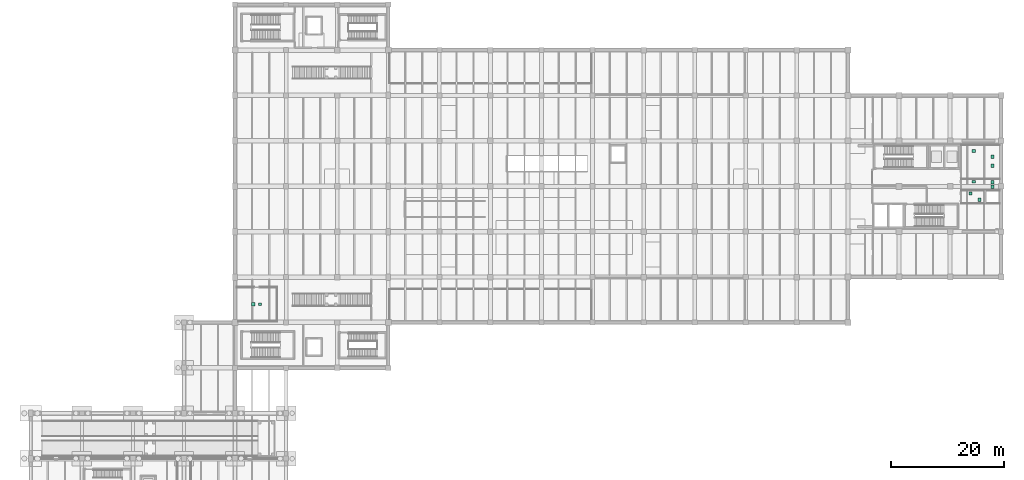
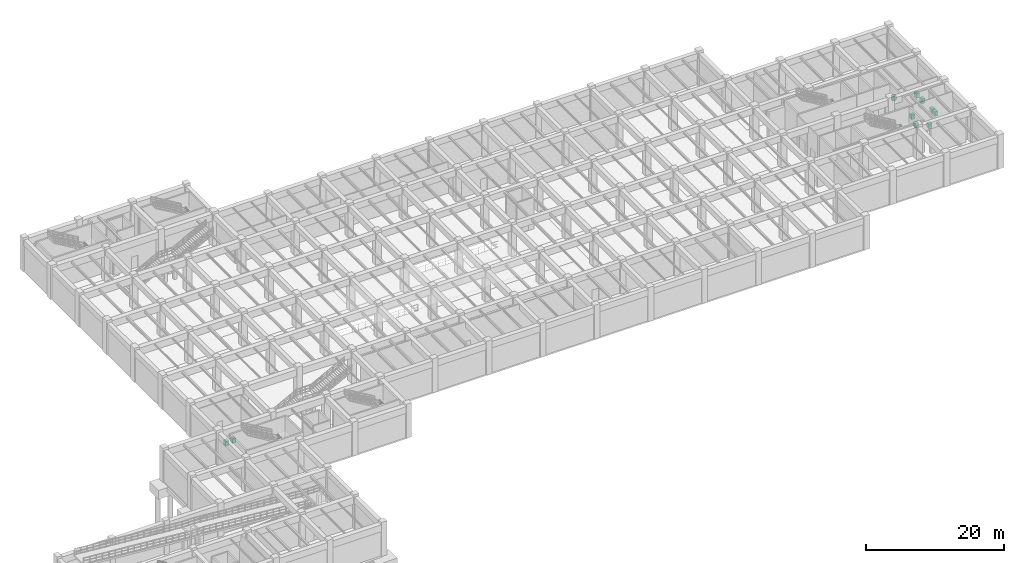
# One storey, part 19 of 20: 10 sanitary terminals.
"""IFC4 building model written with IfcOpenShell, lengths in metres."""

from ifc_helpers import new_model, si_unit, derived_unit, direction, frame, origin, origin_2d, place, context, subcontext, project, spatial, rectangle, extrude, material, type_object, element, save


model = new_model("IFC4")

# Units and contexts
model_context = context("Model", 3, precision=1e-05, world=origin(), true_north=direction((0.0, 1.0)))
body_context = subcontext(model_context, "Body", "Model", "MODEL_VIEW")
ifc_project = project(units=[si_unit("LENGTHUNIT", "METRE"), si_unit("AREAUNIT", "SQUARE_METRE"), si_unit("VOLUMEUNIT", "CUBIC_METRE"), si_unit("PLANEANGLEUNIT", "RADIAN"), si_unit("MASSUNIT", "GRAM", prefix="KILO"), derived_unit("THERMALTRANSMITTANCEUNIT", [(si_unit("MASSUNIT", "GRAM", prefix="KILO"), 1), (si_unit("TIMEUNIT", "SECOND"), -3), (si_unit("THERMODYNAMICTEMPERATUREUNIT", "KELVIN"), -1)])], contexts=[model_context])

# Site, building, storey
site_placement = place(None, origin())
site = spatial("IfcSite", under=ifc_project, at=site_placement, CompositionType="ELEMENT")
building_placement = place(site_placement, origin())
building = spatial("IfcBuilding", under=site, at=building_placement, Name="Zhenchuan Archway Interchange", CompositionType="ELEMENT")
storey_placement = place(building_placement, frame((0.0, 0.0, -6.0)))
storey = spatial("IfcBuildingStorey", under=building, at=storey_placement, Name="B1", CompositionType="ELEMENT", Elevation=-6.0)

# Sanitary terminals
ifc_material = material(Name="Vitreous China", Category="ceramic")
sanitary_terminal_type_1 = type_object("IfcSanitaryTerminalType", Name="SAN_WASHHANDBASIN", PredefinedType="WASHHANDBASIN", material=ifc_material)
for number, where, z_axis, x_axis, name in (
    (1, (165.60009765625, 54.699951171875, 0.0), (0.0, 0.0, 1.0), (1.0, 0.0, 0.0), "Sanitary fixture 02 (B1)"),
    (2, (166.199951171875, 56.800048828125, 0.0), (0.0, 0.0, 1.0), (1.0, 0.0, 0.0), "Sanitary fixture 05 (B1)"),
    (3, (166.199951171875, 62.199951171875, 0.0), (0.0, 0.0, 1.0), (1.0, 0.0, 0.0), "Sanitary fixture 08 (B1)"),
    (4, (40.39990234375, 35.199951171875, 0.0), (0.0, 0.0, 1.0), (1.0, 0.0, 0.0), "Concourse Public Washroom B1 basin"),
):
    element("IfcSanitaryTerminal", number, at=place(storey_placement, frame(where, z_axis=z_axis, x_axis=x_axis)), inside=storey, type_object=sanitary_terminal_type_1, Name=name, PredefinedType="WASHHANDBASIN", context=body_context, shape_type="SweptSolid", body=[
        extrude(rectangle(XDim=0.60009765625, YDim=0.5, at=origin_2d()), origin(), (0.0, 0.0, 1.0), 0.820068359375),
    ])
sanitary_terminal_type_2 = type_object("IfcSanitaryTerminalType", Name="SAN_WCSEAT", PredefinedType="WCSEAT", material=ifc_material)
for number, where, z_axis, x_axis, name in (
    (5, (167.199951171875, 53.60009765625, 0.0), (0.0, 0.0, 1.0), (1.0, 0.0, 0.0), "Sanitary fixture 01 (B1)"),
    (6, (169.5, 55.89990234375, 0.0), (0.0, 0.0, 1.0), (1.0, 0.0, 0.0), "Sanitary fixture 03 (B1)"),
    (7, (169.5, 56.699951171875, 0.0), (0.0, 0.0, 1.0), (1.0, 0.0, 0.0), "Sanitary fixture 04 (B1)"),
    (8, (169.5, 59.60009765625, 0.0), (0.0, 0.0, 1.0), (1.0, 0.0, 0.0), "Sanitary fixture 06 (B1)"),
    (9, (169.5, 61.199951171875, 0.0), (0.0, 0.0, 1.0), (1.0, 0.0, 0.0), "Sanitary fixture 07 (B1)"),
    (10, (39.199951171875, 35.199951171875, 0.0), (0.0, 0.0, 1.0), (1.0, 0.0, 0.0), "Concourse Public Washroom B1 WC"),
):
    element("IfcSanitaryTerminal", number, at=place(storey_placement, frame(where, z_axis=z_axis, x_axis=x_axis)), inside=storey, type_object=sanitary_terminal_type_2, Name=name, PredefinedType="WCSEAT", context=body_context, shape_type="SweptSolid", body=[
        extrude(rectangle(XDim=0.550048828125, YDim=0.64990234375, at=origin_2d()), origin(), (0.0, 0.0, 1.0), 0.800048828125),
    ])

save(model, "model.ifc")
